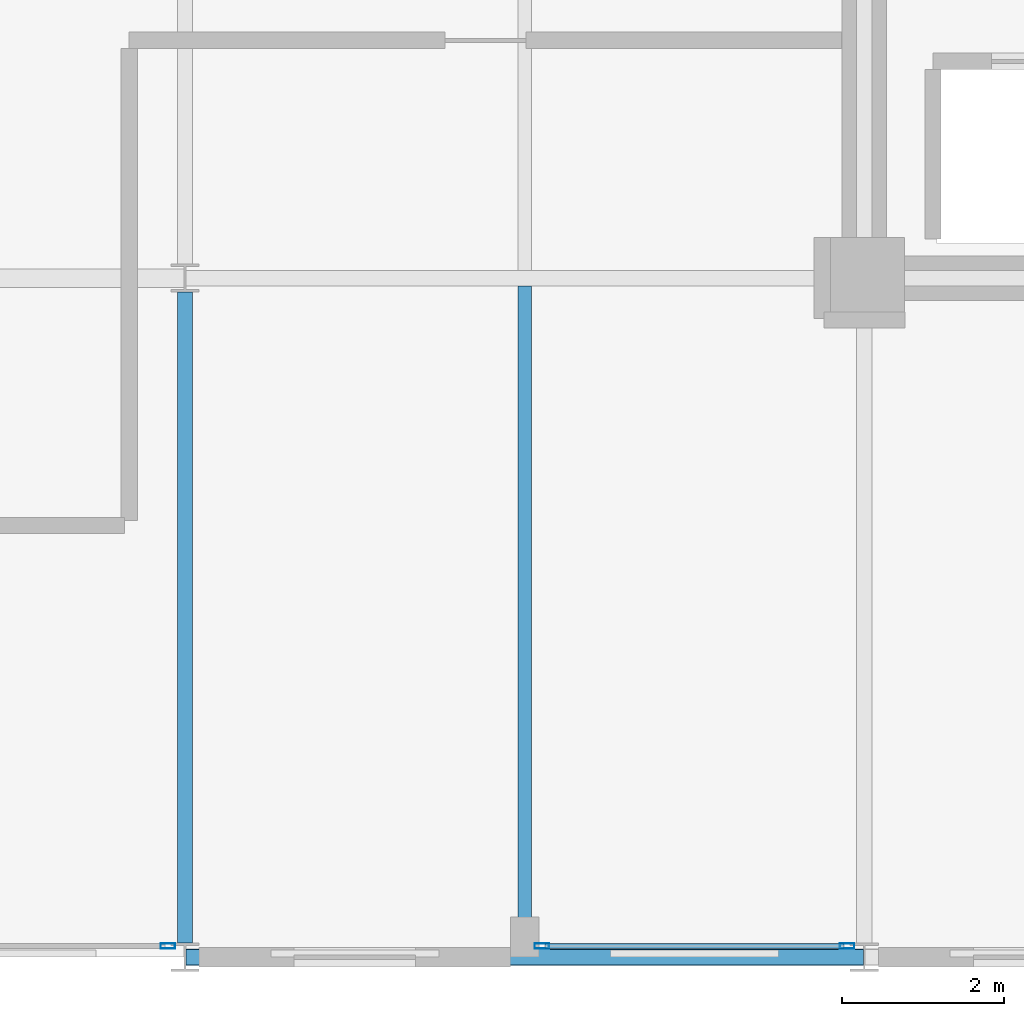
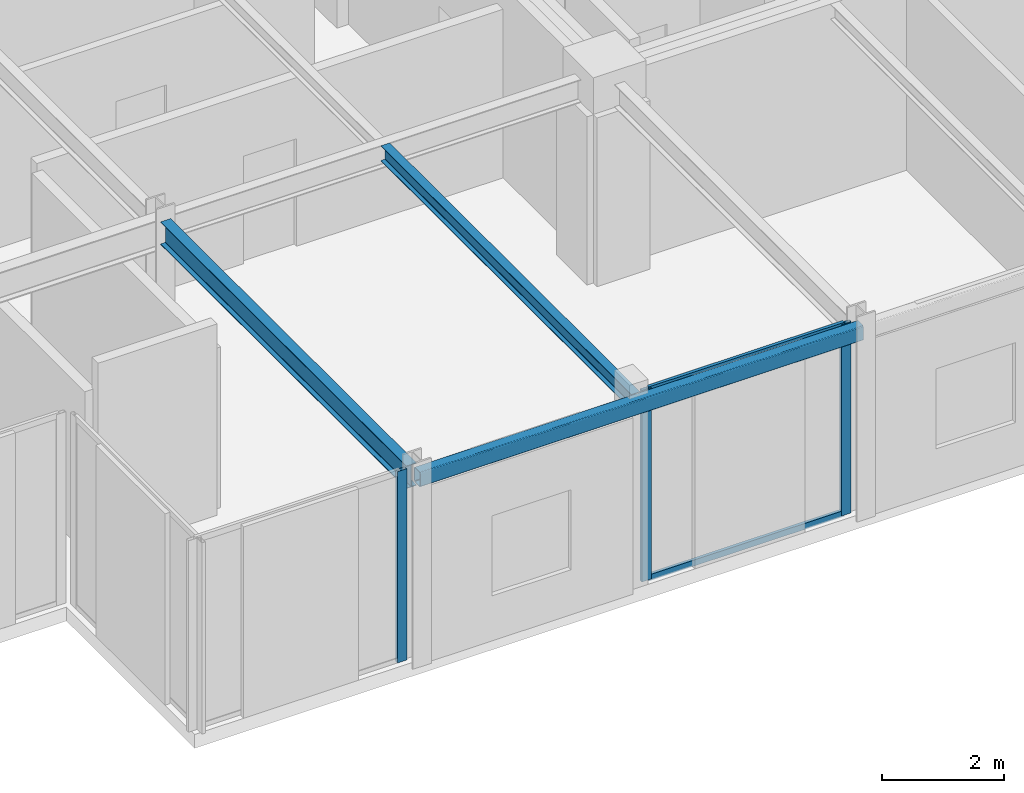
# One storey, part 6 of 29: 5 members, 3 beams, 2 elements without a shape of their own.
"""IFC4 building model written with IfcOpenShell, lengths in metres."""

from ifc_helpers import new_model, si_unit, direction, frame, origin, origin_2d, place, context, subcontext, project, spatial, hollow_rectangle, i_section, extrude, material, layer, layer_set, material_profile, profile_set, type_object, element, aggregate, save


model = new_model("IFC4")

# Units and contexts
model_context = context("Model", 3, precision=1e-05, world=origin(), true_north=direction((0.0, 1.0)))
body_context = subcontext(model_context, "Body", "Model", "MODEL_VIEW")
ifc_project = project(units=[si_unit("LENGTHUNIT", "METRE"), si_unit("AREAUNIT", "SQUARE_METRE"), si_unit("VOLUMEUNIT", "CUBIC_METRE"), si_unit("PLANEANGLEUNIT", "RADIAN"), si_unit("MASSUNIT", "GRAM", prefix="KILO")], contexts=[model_context])

# Site, building, storey
site_placement = place(None, origin())
site = spatial("IfcSite", under=ifc_project, at=site_placement, CompositionType="ELEMENT")
building_placement = place(site_placement, origin())
building = spatial("IfcBuilding", under=site, at=building_placement, Name="Nerrivon Quay Data Exchange", CompositionType="ELEMENT")
storey_placement = place(building_placement, frame((0.0, 0.0, 200.10009765625)))
storey = spatial("IfcBuildingStorey", under=building, at=storey_placement, Name="L47", CompositionType="ELEMENT", Elevation=200.10009765625)

# Beams
ifc_material_1 = material(Name="Steel Grade 350", Category="steel")
ifc_material_profile_1 = material_profile(ifc_material_1, i_section(OverallWidth=0.18994140625, OverallDepth=0.4541015625, WebThickness=0.008544921875, FlangeThickness=0.0126953125, FilletRadius=0.011474609375, at=origin_2d()), Name="460UB67.1")
ifc_profile_set_1 = profile_set([ifc_material_profile_1], Name="Steel Grade 350")
beam_type_1 = type_object("IfcBeamType", Name="BM-G6-460UB67", PredefinedType="BEAM", material=ifc_profile_set_1)
beam_1_placement = place(storey_placement, frame((8.39990234375, 0.175048828125, 3.597900390625), z_axis=(0.0, 1.0, 0.0), x_axis=(-1.0, 0.0, 0.0)))
element("IfcBeam", 1, at=beam_1_placement, inside=storey, type_object=beam_type_1, Name="L47 NS Girder X=8.4 (0.0..8.4)", PredefinedType="BEAM", context=body_context, shape_type="SweptSolid", body=[
    extrude(i_section(OverallWidth=0.18994140625, OverallDepth=0.4541015625, WebThickness=0.008544921875, FlangeThickness=0.0126953125, FilletRadius=0.011474609375, at=origin_2d()), origin(), (0.0, 0.0, 1.0), 8.050048828125),
])
ifc_material_profile_2 = material_profile(ifc_material_1, i_section(OverallWidth=0.166015625, OverallDepth=0.306884765625, WebThickness=0.006591796875, FlangeThickness=0.01171875, FilletRadius=0.011474609375, at=origin_2d()), Name="310UB46.2")
ifc_profile_set_2 = profile_set([ifc_material_profile_2], Name="Steel Grade 350")
beam_type_2 = type_object("IfcBeamType", Name="BM-J5-310UB46", PredefinedType="JOIST", material=ifc_profile_set_2)
beam_2_placement = place(storey_placement, frame((12.60009765625, 0.10009765625, 3.67138671875), z_axis=(0.0, 1.0, 0.0), x_axis=(-1.0, 0.0, 0.0)))
element("IfcBeam", 2, at=beam_2_placement, inside=storey, type_object=beam_type_2, Name="L47 Secondary Joist X=12.6 (0.0..8.4)", PredefinedType="JOIST", context=body_context, shape_type="SweptSolid", body=[
    extrude(i_section(OverallWidth=0.166015625, OverallDepth=0.306884765625, WebThickness=0.006591796875, FlangeThickness=0.01171875, FilletRadius=0.011474609375, at=origin_2d()), origin(), (0.0, 0.0, 1.0), 8.204345703125),
])
ifc_material_2 = material(Name="Steel Grade C350L0 (350 MPa)", Category="steel")
ifc_material_profile_3 = material_profile(ifc_material_2, hollow_rectangle(XDim=0.199951171875, YDim=0.300048828125, WallThickness=0.012451171875, InnerFilletRadius=0.018798828125, OuterFilletRadius=0.03125, at=origin_2d()), Name="300x200x12.5RHS")
ifc_profile_set_3 = profile_set([ifc_material_profile_3], Name="Steel Grade C350L0 (350 MPa)")
beam_type_3 = type_object("IfcBeamType", Name="BM-SP3-300x200RHS", PredefinedType="SPANDREL", material=ifc_profile_set_3)
beam_3_placement = place(storey_placement, frame((8.409912109375, 0.0, 3.6748046875), z_axis=(1.0, 0.0, 0.0), x_axis=(0.0, 1.0, 0.0)))
element("IfcBeam", 3, at=beam_3_placement, inside=storey, type_object=beam_type_3, Name="L47 EW Girder Y=0.0 (8.4..16.8)", PredefinedType="SPANDREL", context=body_context, shape_type="SweptSolid", body=[
    extrude(hollow_rectangle(XDim=0.199951171875, YDim=0.300048828125, WallThickness=0.012451171875, InnerFilletRadius=0.018798828125, OuterFilletRadius=0.03125, at=origin_2d()), origin(), (0.0, 0.0, 1.0), 8.380126953125),
])

# Curtain wall, members
ifc_material_3 = material(Name="Anodised aluminium 6063-T6", Category="aluminium")
ifc_layer = layer(ifc_material_3, 0.195068359375)
ifc_layer_set = layer_set([ifc_layer], Name="Anodised aluminium 6063-T6")
curtain_wall_type = type_object("IfcCurtainWallType", Name="CW-SYS-06", PredefinedType="NOTDEFINED", material=ifc_layer_set)
curtain_wall_1_placement = place(storey_placement, origin())
curtain_wall_1 = element("IfcCurtainWall", 4, at=curtain_wall_1_placement, inside=storey, type_object=curtain_wall_type, Name="L47 Unitised Curtain Wall 26", PredefinedType="NOTDEFINED")
ifc_material_profile_4 = material_profile(ifc_material_3, hollow_rectangle(XDim=0.06494140625, YDim=0.179931640625, WallThickness=0.00341796875, at=origin_2d()), Name="ALU-MULL-180x65")
ifc_profile_set_4 = profile_set([ifc_material_profile_4], Name="Anodised aluminium 6063-T6")
member_type_1 = type_object("IfcMemberType", Name="CWM-180x65", PredefinedType="MULLION", material=ifc_profile_set_4)
member_1_placement = place(storey_placement, frame((16.58740234375, 0.139892578125, 0.0), z_axis=(0.0, 0.0, 1.0), x_axis=(0.0, -1.0, 0.0)))
member_1 = element("IfcMember", 5, at=member_1_placement, type_object=member_type_1, Name="CW06 mullion 1", PredefinedType="MULLION", context=body_context, shape_type="SweptSolid", body=[
    extrude(hollow_rectangle(XDim=0.06494140625, YDim=0.179931640625, WallThickness=0.00341796875, at=origin_2d()), origin(), (0.0, 0.0, 1.0), 3.824951171875),
])
member_2_placement = place(storey_placement, frame((12.8125, 0.139892578125, 0.0), z_axis=(0.0, 0.0, 1.0), x_axis=(0.0, -1.0, 0.0)))
member_2 = element("IfcMember", 6, at=member_2_placement, type_object=member_type_1, Name="CW06 mullion 2", PredefinedType="MULLION", context=body_context, shape_type="SweptSolid", body=[
    extrude(hollow_rectangle(XDim=0.06494140625, YDim=0.179931640625, WallThickness=0.00341796875, at=origin_2d()), origin(), (0.0, 0.0, 1.0), 3.824951171875),
])

# Curtain wall, member
curtain_wall_2_placement = place(storey_placement, origin())
curtain_wall_2 = element("IfcCurtainWall", 7, at=curtain_wall_2_placement, inside=storey, type_object=curtain_wall_type, Name="L47 Unitised Curtain Wall 28", PredefinedType="NOTDEFINED")
member_3_placement = place(storey_placement, frame((8.1875, 0.139892578125, 0.0), z_axis=(0.0, 0.0, 1.0), x_axis=(0.0, -1.0, 0.0)))
member_3 = element("IfcMember", 8, at=member_3_placement, type_object=member_type_1, Name="CW06 mullion 1", PredefinedType="MULLION", context=body_context, shape_type="SweptSolid", body=[
    extrude(hollow_rectangle(XDim=0.06494140625, YDim=0.179931640625, WallThickness=0.00341796875, at=origin_2d()), origin(), (0.0, 0.0, 1.0), 3.824951171875),
])
aggregate(curtain_wall_2, [member_3])

# Member
ifc_material_profile_5 = material_profile(ifc_material_3, hollow_rectangle(XDim=0.06005859375, YDim=0.1201171875, WallThickness=0.003173828125, at=origin_2d()), Name="ALU-TRAN-120x60")
ifc_profile_set_5 = profile_set([ifc_material_profile_5], Name="Anodised aluminium 6063-T6")
member_type_2 = type_object("IfcMemberType", Name="CWT-120x60", PredefinedType="USERDEFINED", material=ifc_profile_set_5)
member_4_placement = place(storey_placement, frame((16.550048828125, 0.139892578125, 0.032470703125), z_axis=(-1.0, 0.0, 0.0), x_axis=(0.0, -1.0, 0.0)))
member_4 = element("IfcMember", 9, at=member_4_placement, type_object=member_type_2, Name="CW06 transom 1.1", ObjectType="TRANSOM", PredefinedType="USERDEFINED", context=body_context, shape_type="SweptSolid", body=[
    extrude(hollow_rectangle(XDim=0.06005859375, YDim=0.1201171875, WallThickness=0.003173828125, at=origin_2d()), origin(), (0.0, 0.0, 1.0), 3.699951171875),
])

member_5_placement = place(storey_placement, frame((16.550048828125, 0.139892578125, 3.79248046875), z_axis=(-1.0, 0.0, 0.0), x_axis=(0.0, -1.0, 0.0)))
member_5 = element("IfcMember", 10, at=member_5_placement, type_object=member_type_2, Name="CW06 transom 1.2", ObjectType="TRANSOM", PredefinedType="USERDEFINED", context=body_context, shape_type="SweptSolid", body=[
    extrude(hollow_rectangle(XDim=0.06005859375, YDim=0.1201171875, WallThickness=0.003173828125, at=origin_2d()), origin(), (0.0, 0.0, 1.0), 3.699951171875),
])

aggregate(curtain_wall_1, [member_1, member_2, member_4, member_5])

save(model, "model.ifc")
